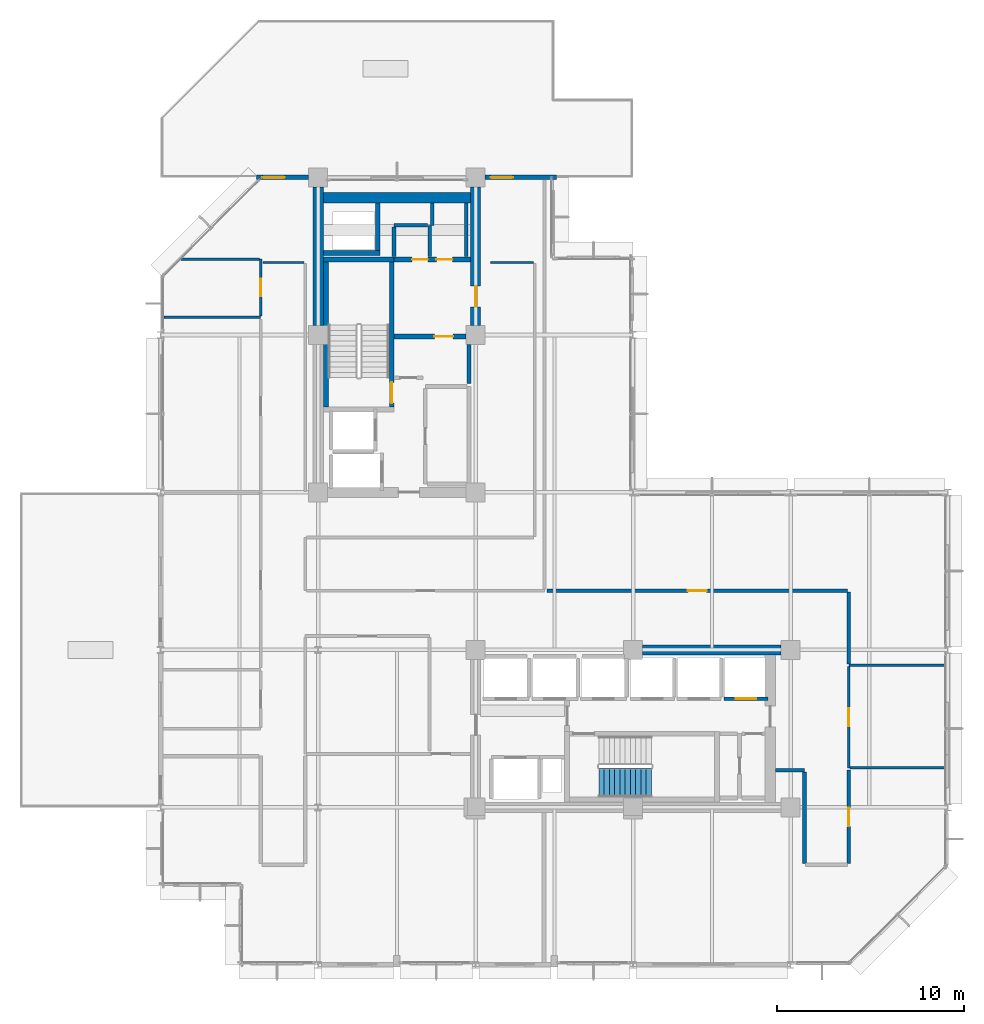
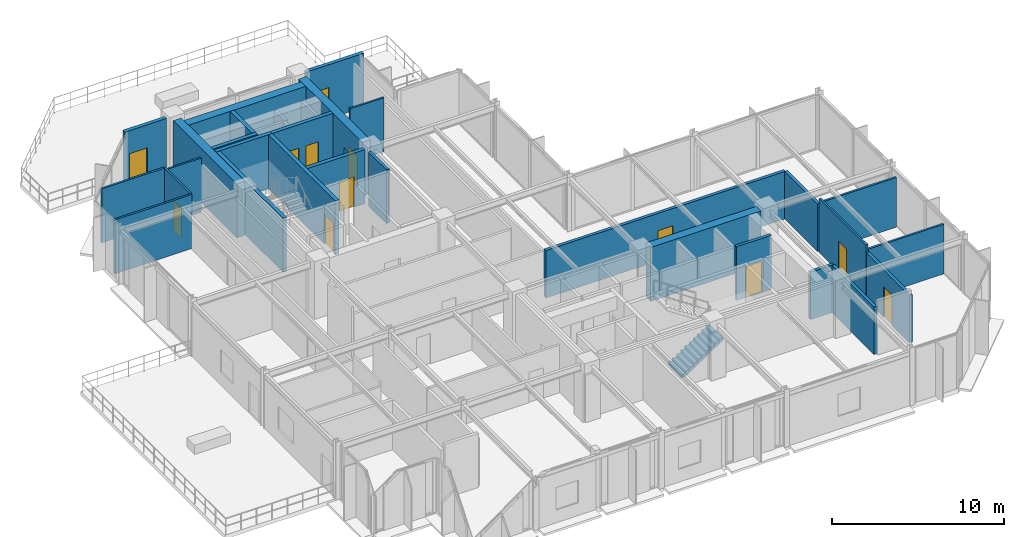
# One storey, part 17 of 21: 33 walls, 12 doors, 1 stair flight, 12 openings, 1 element without a shape of its own.
"""IFC4 building model written with IfcOpenShell, lengths in metres."""

from ifc_helpers import new_model, si_unit, direction, frame, frame_2d, origin, place, context, subcontext, project, spatial, polyline, rectangle, outline, extrude, material, layer, layer_set, type_object, element, fill, aggregate, save


model = new_model("IFC4")

# Units and contexts
model_context = context("Model", 3, precision=1e-05, world=origin(), true_north=direction((0.0, 1.0)))
body_context = subcontext(model_context, "Body", "Model", "MODEL_VIEW")
ifc_project = project(units=[si_unit("LENGTHUNIT", "METRE"), si_unit("AREAUNIT", "SQUARE_METRE"), si_unit("VOLUMEUNIT", "CUBIC_METRE"), si_unit("PLANEANGLEUNIT", "RADIAN"), si_unit("MASSUNIT", "GRAM", prefix="KILO")], contexts=[model_context])

# Site, building, storey
site_placement = place(None, origin())
site = spatial("IfcSite", under=ifc_project, at=site_placement, CompositionType="ELEMENT")
building_placement = place(site_placement, origin())
building = spatial("IfcBuilding", under=site, at=building_placement, Name="Nerrivon Quay Data Exchange", CompositionType="ELEMENT")
storey_placement = place(building_placement, frame((0.0, 0.0, 220.60009765625)))
storey = spatial("IfcBuildingStorey", under=building, at=storey_placement, Name="L52", CompositionType="ELEMENT", Elevation=220.60009765625)

# Wall, opening, door
ifc_material_1 = material(Name="Architectural terracotta precast concrete N50 (50 MPa)", Category="masonry")
ifc_layer_1 = layer(ifc_material_1, 0.239990234375)
ifc_layer_set_1 = layer_set([ifc_layer_1], Name="Architectural terracotta precast concrete N50 (50 MPa)")
wall_type_1 = type_object("IfcWallType", Name="EW-PREC-240", PredefinedType="STANDARD", material=ifc_layer_set_1)
wall_1_placement = place(storey_placement, frame((5.125244140625, 42.0, 0.0), z_axis=(0.0, 0.0, 1.0), x_axis=(1.0, 0.0, 0.0)))
wall_1 = element("IfcWall", 1, at=wall_1_placement, inside=storey, type_object=wall_type_1, Name="L52 Terrace Host Wall 17", PredefinedType="STANDARD", context=body_context, shape_type="SweptSolid", body=[
    extrude(rectangle(XDim=2.774658203125, YDim=0.239990234375, at=frame_2d((1.38720703125, 0.0))), origin(), (0.0, 0.0, 1.0), 3.824951171875),
])
opening_1_placement = place(wall_1_placement, frame((0.300048828125, 0.0, 0.0)))
opening_1 = element("IfcOpeningElement", 2, at=opening_1_placement, cuts=wall_1, Name="Opening TD1", PredefinedType="OPENING", context=body_context, shape_type="SweptSolid", body=[
    extrude(rectangle(XDim=1.199951171875, YDim=2.199951171875, at=frame_2d((0.60009765625, 1.10009765625))), frame((0.0, 0.1298828125, 0.0), z_axis=(0.0, -1.0, 0.0), x_axis=(1.0, 0.0, 0.0)), (0.0, 0.0, 1.0), 0.260009765625),
])
ifc_material_2 = material(Name="Double-glazed low-E solar control glass", Category="glass")
door_type_1 = type_object("IfcDoorType", Name="DR-TERR-1200x2200", OperationType="NOTDEFINED", PredefinedType="DOOR", material=ifc_material_2)
door_1_placement = place(opening_1_placement, origin())
door_1 = element("IfcDoor", 3, at=door_1_placement, inside=storey, type_object=door_type_1, Name="L52 Outdoor Terrace Access Door 17", OperationType="SINGLE_SWING_RIGHT", OverallHeight=2.199951171875, OverallWidth=1.199951171875, PredefinedType="DOOR", context=body_context, shape_type="SweptSolid", body=[
    extrude(rectangle(XDim=1.199951171875, YDim=2.199951171875, at=frame_2d((0.60009765625, 1.10009765625))), frame((0.0, 0.02490234375, 0.0), z_axis=(0.0, -1.0, 0.0), x_axis=(1.0, 0.0, 0.0)), (0.0, 0.0, 1.0), 0.050048828125),
])
fill(opening_1, door_1)

wall_2_placement = place(storey_placement, frame((17.300048828125, 42.0, 0.0), z_axis=(0.0, 0.0, 1.0), x_axis=(1.0, 0.0, 0.0)))
wall_2 = element("IfcWall", 4, at=wall_2_placement, inside=storey, type_object=wall_type_1, Name="L52 Terrace Host Wall 19", PredefinedType="STANDARD", context=body_context, shape_type="SweptSolid", body=[
    extrude(rectangle(XDim=3.820068359375, YDim=0.239990234375, at=frame_2d((1.91015625, 0.0))), origin(), (0.0, 0.0, 1.0), 3.824951171875),
])
opening_2_placement = place(wall_2_placement, frame((0.300048828125, 0.0, 0.0)))
opening_2 = element("IfcOpeningElement", 5, at=opening_2_placement, cuts=wall_2, Name="Opening TD1", PredefinedType="OPENING", context=body_context, shape_type="SweptSolid", body=[
    extrude(rectangle(XDim=1.199951171875, YDim=2.199951171875, at=frame_2d((0.60009765625, 1.10009765625))), frame((0.0, 0.1298828125, 0.0), z_axis=(0.0, -1.0, 0.0), x_axis=(1.0, 0.0, 0.0)), (0.0, 0.0, 1.0), 0.260009765625),
])
door_2_placement = place(opening_2_placement, origin())
door_2 = element("IfcDoor", 6, at=door_2_placement, inside=storey, type_object=door_type_1, Name="L52 Outdoor Terrace Access Door 19", OperationType="SINGLE_SWING_RIGHT", OverallHeight=2.199951171875, OverallWidth=1.199951171875, PredefinedType="DOOR", context=body_context, shape_type="SweptSolid", body=[
    extrude(rectangle(XDim=1.199951171875, YDim=2.199951171875, at=frame_2d((0.60009765625, 1.10009765625))), frame((0.0, 0.02490234375, 0.0), z_axis=(0.0, -1.0, 0.0), x_axis=(1.0, 0.0, 0.0)), (0.0, 0.0, 1.0), 0.050048828125),
])
fill(opening_2, door_2)

# Walls
ifc_material_3 = material(Name="Concrete S65 (65 MPa)", Category="concrete")
ifc_layer_2 = layer(ifc_material_3, 0.550048828125)
ifc_layer_set_2 = layer_set([ifc_layer_2], Name="Concrete S65 (65 MPa)")
wall_type_2 = type_object("IfcWallType", Name="WALL-CW-700", PredefinedType="SHEAR", material=ifc_layer_set_2)
wall_3_placement = place(storey_placement, frame((8.39990234375, 34.10009765625, 0.0), z_axis=(0.0, 0.0, 1.0), x_axis=(0.0, 1.0, 0.0)))
element("IfcWall", 7, at=wall_3_placement, inside=storey, type_object=wall_type_2, Name="L52 West Split-Core Shear Wall WCW-W2", PredefinedType="SHEAR", context=body_context, shape_type="SweptSolid", body=[
    extrude(rectangle(XDim=7.39990234375, YDim=0.550048828125, at=frame_2d((3.699951171875, 0.0))), origin(), (0.0, 0.0, 1.0), 3.824951171875),
])
wall_4_placement = place(storey_placement, frame((8.675048828125, 40.925048828125, 0.0), z_axis=(0.0, 0.0, 1.0), x_axis=(1.0, 0.0, 0.0)))
element("IfcWall", 8, at=wall_4_placement, inside=storey, type_object=wall_type_2, Name="L52 West Split-Core Shear Wall WCW-N1", PredefinedType="SHEAR", context=body_context, shape_type="SweptSolid", body=[
    extrude(rectangle(XDim=7.849853515625, YDim=0.550048828125, at=frame_2d((3.9248046875, 0.0))), origin(), (0.0, 0.0, 1.0), 3.824951171875),
])

# Wall, opening, door
wall_5_placement = place(storey_placement, frame((16.800048828125, 34.10009765625, 0.0), z_axis=(0.0, 0.0, 1.0), x_axis=(0.0, 1.0, 0.0)))
wall_5 = element("IfcWall", 9, at=wall_5_placement, inside=storey, type_object=wall_type_2, Name="L52 West Split-Core Shear Wall WCW-E1", PredefinedType="SHEAR", context=body_context, shape_type="SweptSolid", body=[
    extrude(rectangle(XDim=7.39990234375, YDim=0.550048828125, at=frame_2d((3.699951171875, 0.0))), origin(), (0.0, 0.0, 1.0), 3.824951171875),
])
opening_3_placement = place(wall_5_placement, frame((1.0, 0.0, 0.0)))
opening_3 = element("IfcOpeningElement", 10, at=opening_3_placement, cuts=wall_5, Name="Opening FD-120", PredefinedType="OPENING", context=body_context, shape_type="SweptSolid", body=[
    extrude(rectangle(XDim=1.10009765625, YDim=2.14990234375, at=frame_2d((0.550048828125, 1.074951171875))), frame((0.0, 0.284912109375, 0.0), z_axis=(0.0, -1.0, 0.0), x_axis=(1.0, 0.0, 0.0)), (0.0, 0.0, 1.0), 0.570068359375),
])
ifc_material_4 = material(Name="Powder-coated galvanized steel sheet", Category="steel")
door_type_2 = type_object("IfcDoorType", Name="DR-FD120-1100", OperationType="NOTDEFINED", PredefinedType="DOOR", material=ifc_material_4)
door_3_placement = place(opening_3_placement, origin())
door_3 = element("IfcDoor", 11, at=door_3_placement, inside=storey, type_object=door_type_2, Name="L52 West Core Lobby Fire Door", OperationType="SINGLE_SWING_LEFT", OverallHeight=2.14990234375, OverallWidth=1.10009765625, PredefinedType="DOOR", context=body_context, shape_type="SweptSolid", body=[
    extrude(rectangle(XDim=1.10009765625, YDim=2.14990234375, at=frame_2d((0.550048828125, 1.074951171875))), frame((0.0, 0.02490234375, 0.0), z_axis=(0.0, -1.0, 0.0), x_axis=(1.0, 0.0, 0.0)), (0.0, 0.0, 1.0), 0.050048828125),
])
fill(opening_3, door_3)

# Wall
wall_6_placement = place(storey_placement, frame((25.699951171875, 16.800048828125, 0.0), z_axis=(0.0, 0.0, 1.0), x_axis=(1.0, 0.0, 0.0)))
element("IfcWall", 12, at=wall_6_placement, inside=storey, type_object=wall_type_2, Name="L52 East Split-Core Shear Wall ECW-N1", PredefinedType="SHEAR", context=body_context, shape_type="SweptSolid", body=[
    extrude(rectangle(XDim=7.400146484375, YDim=0.550048828125, at=frame_2d((3.7001953125, 0.0))), origin(), (0.0, 0.0, 1.0), 3.824951171875),
])

# Wall, opening, door
ifc_material_5 = material(Name="Gypsum plasterboard on cold-formed framing", Category="gypsum")
ifc_layer_3 = layer(ifc_material_5, 0.199951171875)
ifc_layer_set_3 = layer_set([ifc_layer_3], Name="Gypsum plasterboard on cold-formed framing")
wall_type_3 = type_object("IfcWallType", Name="WALL-FW-200", PredefinedType="PARTITIONING", material=ifc_layer_set_3)
wall_7_placement = place(storey_placement, frame((30.050048828125, 14.199951171875, 0.0), z_axis=(0.0, 0.0, 1.0), x_axis=(1.0, 0.0, 0.0)))
wall_7 = element("IfcWall", 13, at=wall_7_placement, inside=storey, type_object=wall_type_3, Name="L52 Lift Front Wall PL9", PredefinedType="PARTITIONING", context=body_context, shape_type="SweptSolid", body=[
    extrude(rectangle(XDim=2.349853515625, YDim=0.199951171875, at=frame_2d((1.1748046875, 0.0))), origin(), (0.0, 0.0, 1.0), 3.824951171875),
])
opening_4_placement = place(wall_7_placement, frame((0.625, 0.0, 0.0)))
opening_4 = element("IfcOpeningElement", 14, at=opening_4_placement, cuts=wall_7, Name="Opening LD-120", PredefinedType="OPENING", context=body_context, shape_type="SweptSolid", body=[
    extrude(rectangle(XDim=1.10009765625, YDim=2.199951171875, at=frame_2d((0.550048828125, 1.10009765625))), frame((0.0, 0.10986328125, 0.0), z_axis=(0.0, -1.0, 0.0), x_axis=(1.0, 0.0, 0.0)), (0.0, 0.0, 1.0), 0.219970703125),
])
door_type_3 = type_object("IfcDoorType", Name="DR-LIFT-LD120", OperationType="DOUBLE_DOOR_SLIDING", PredefinedType="DOOR", material=ifc_material_4)
door_4_placement = place(opening_4_placement, origin())
door_4 = element("IfcDoor", 15, at=door_4_placement, inside=storey, type_object=door_type_3, Name="L52 Lift Landing Sliding Door PL9", OperationType="DOUBLE_DOOR_SLIDING", OverallHeight=2.199951171875, OverallWidth=1.10009765625, PredefinedType="DOOR", context=body_context, shape_type="SweptSolid", body=[
    extrude(rectangle(XDim=1.10009765625, YDim=2.199951171875, at=frame_2d((0.550048828125, 1.10009765625))), frame((0.0, 0.02490234375, 0.0), z_axis=(0.0, -1.0, 0.0), x_axis=(1.0, 0.0, 0.0)), (0.0, 0.0, 1.0), 0.050048828125),
])
fill(opening_4, door_4)

# Walls
wall_8_placement = place(storey_placement, frame((16.449951171875, 31.0, 0.0), z_axis=(0.0, 0.0, 1.0), x_axis=(0.0, 1.0, 0.0)))
element("IfcWall", 16, at=wall_8_placement, inside=storey, type_object=wall_type_3, Name="L52 Partition Core Equipment Closet", PredefinedType="PARTITIONING", context=body_context, shape_type="SweptSolid", body=[
    extrude(rectangle(XDim=2.094970703125, YDim=0.199951171875, at=frame_2d((1.04736328125, 0.0))), origin(), (0.0, 0.0, 1.0), 3.824951171875),
])
wall_9_placement = place(storey_placement, frame((14.35009765625, 37.780029296875, 0.0), z_axis=(0.0, 0.0, 1.0), x_axis=(0.0, 1.0, 0.0)))
element("IfcWall", 17, at=wall_9_placement, inside=storey, type_object=wall_type_3, Name="L52 Partition Equipment Store", PredefinedType="PARTITIONING", context=body_context, shape_type="SweptSolid", body=[
    extrude(rectangle(XDim=1.669921875, YDim=0.199951171875, at=frame_2d((0.8349609375, 0.0))), origin(), (0.0, 0.0, 1.0), 2.875),
])
wall_10_placement = place(storey_placement, frame((14.24609375, 39.449951171875, 0.0), z_axis=(0.0, 0.0, 1.0), x_axis=(-1.0, 0.0, 0.0)))
element("IfcWall", 18, at=wall_10_placement, inside=storey, type_object=wall_type_3, Name="L52 Partition Equipment Store", PredefinedType="PARTITIONING", context=body_context, shape_type="SweptSolid", body=[
    extrude(rectangle(XDim=1.796142578125, YDim=0.199951171875, at=frame_2d((0.89794921875, 0.0))), origin(), (0.0, 0.0, 1.0), 2.875),
])
wall_11_placement = place(storey_placement, frame((12.449951171875, 39.345947265625, 0.0), z_axis=(0.0, 0.0, 1.0), x_axis=(0.0, -1.0, 0.0)))
element("IfcWall", 19, at=wall_11_placement, inside=storey, type_object=wall_type_3, Name="L52 Partition Equipment Store", PredefinedType="PARTITIONING", context=body_context, shape_type="SweptSolid", body=[
    extrude(rectangle(XDim=1.56591796875, YDim=0.199951171875, at=frame_2d((0.782958984375, 0.0))), origin(), (0.0, 0.0, 1.0), 2.875),
])
wall_12_placement = place(storey_placement, frame((16.300048828125, 37.780029296875, 0.0), z_axis=(0.0, 0.0, 1.0), x_axis=(0.0, 1.0, 0.0)))
element("IfcWall", 20, at=wall_12_placement, inside=storey, type_object=wall_type_3, Name="L52 Partition Cleaners Store", PredefinedType="PARTITIONING", context=body_context, shape_type="SweptSolid", body=[
    extrude(rectangle(XDim=2.865966796875, YDim=0.199951171875, at=frame_2d((1.43310546875, 0.0))), origin(), (0.0, 0.0, 1.0), 2.875),
])
wall_13_placement = place(storey_placement, frame((14.489990234375, 40.64599609375, 0.0), z_axis=(0.0, 0.0, 1.0), x_axis=(0.0, -1.0, 0.0)))
element("IfcWall", 21, at=wall_13_placement, inside=storey, type_object=wall_type_3, Name="L52 Partition Cleaners Store", PredefinedType="PARTITIONING", context=body_context, shape_type="SweptSolid", body=[
    extrude(rectangle(XDim=1.196044921875, YDim=0.199951171875, at=frame_2d((0.59814453125, 0.0))), origin(), (0.0, 0.0, 1.0), 2.875),
])
wall_14_placement = place(storey_placement, frame((34.340087890625, 10.38916015625, 0.0), z_axis=(0.0, 0.0, 1.0), x_axis=(-1.0, 0.0, 0.0)))
element("IfcWall", 22, at=wall_14_placement, inside=storey, type_object=wall_type_3, Name="L52 Partition Colocation Data Workspace 1", PredefinedType="PARTITIONING", context=body_context, shape_type="SweptSolid", body=[
    extrude(rectangle(XDim=1.5361328125, YDim=0.199951171875, at=frame_2d((0.76806640625, 0.0))), origin(), (0.0, 0.0, 1.0), 3.370849609375),
])

# Wall, opening, door
wall_15_placement = place(storey_placement, frame((36.7099609375, 10.38916015625, 0.0), z_axis=(0.0, 0.0, 1.0), x_axis=(0.0, -1.0, 0.0)))
wall_15 = element("IfcWall", 23, at=wall_15_placement, inside=storey, type_object=wall_type_3, Name="L52 Partition Colocation Data Workspace 1", PredefinedType="PARTITIONING", context=body_context, shape_type="SweptSolid", body=[
    extrude(rectangle(XDim=4.9892578125, YDim=0.199951171875, at=frame_2d((2.49462890625, 0.0))), origin(), (0.0, 0.0, 1.0), 3.364990234375),
])
opening_5_placement = place(wall_15_placement, frame((1.994384765625, 0.0, 0.0)))
opening_5 = element("IfcOpeningElement", 24, at=opening_5_placement, cuts=wall_15, Name="Opening FD-60", PredefinedType="OPENING", context=body_context, shape_type="SweptSolid", body=[
    extrude(rectangle(XDim=1.0, YDim=2.14990234375, at=frame_2d((0.5, 1.074951171875))), frame((0.0, 0.10986328125, 0.0), z_axis=(0.0, -1.0, 0.0), x_axis=(1.0, 0.0, 0.0)), (0.0, 0.0, 1.0), 0.219970703125),
])
ifc_material_6 = material(Name="Engineered hardwood timber", Category="wood")
door_type_4 = type_object("IfcDoorType", Name="DR-FD60-1000", OperationType="NOTDEFINED", PredefinedType="DOOR", material=ifc_material_6)
door_5_placement = place(opening_5_placement, origin())
door_5 = element("IfcDoor", 25, at=door_5_placement, inside=storey, type_object=door_type_4, Name="L52 Door Colocation Data Workspace 1", OperationType="SINGLE_SWING_RIGHT", OverallHeight=2.14990234375, OverallWidth=1.0, PredefinedType="DOOR", context=body_context, shape_type="SweptSolid", body=[
    extrude(rectangle(XDim=1.0, YDim=2.14990234375, at=frame_2d((0.5, 1.074951171875))), frame((0.0, 0.02490234375, 0.0), z_axis=(0.0, -1.0, 0.0), x_axis=(1.0, 0.0, 0.0)), (0.0, 0.0, 1.0), 0.050048828125),
])
fill(opening_5, door_5)

# Walls
wall_16_placement = place(storey_placement, frame((34.340087890625, 5.39990234375, 0.0), z_axis=(0.0, 0.0, 1.0), x_axis=(0.0, 1.0, 0.0)))
element("IfcWall", 26, at=wall_16_placement, inside=storey, type_object=wall_type_3, Name="L52 Partition Colocation Data Workspace 1", PredefinedType="PARTITIONING", context=body_context, shape_type="SweptSolid", body=[
    extrude(rectangle(XDim=4.88525390625, YDim=0.199951171875, at=frame_2d((2.442626953125, 0.0))), origin(), (0.0, 0.0, 1.0), 3.364990234375),
])
wall_17_placement = place(storey_placement, frame((36.7099609375, 19.89990234375, 0.0), z_axis=(0.0, 0.0, 1.0), x_axis=(0.0, -1.0, 0.0)))
element("IfcWall", 27, at=wall_17_placement, inside=storey, type_object=wall_type_3, Name="L52 Partition Sky Lobby Transfer Concourse", PredefinedType="PARTITIONING", context=body_context, shape_type="SweptSolid", body=[
    extrude(rectangle(XDim=3.844482421875, YDim=0.199951171875, at=frame_2d((1.92236328125, 0.0))), origin(), (0.0, 0.0, 1.0), 3.364990234375),
])

# Wall, opening, door
wall_18_placement = place(storey_placement, frame((20.5966796875, 19.9599609375, 0.0), z_axis=(0.0, 0.0, 1.0), x_axis=(1.0, 0.0, 0.0)))
wall_18 = element("IfcWall", 28, at=wall_18_placement, inside=storey, type_object=wall_type_3, Name="L52 Partition Sky Lobby Transfer Concourse", PredefinedType="PARTITIONING", context=body_context, shape_type="SweptSolid", body=[
    extrude(rectangle(XDim=16.05322265625, YDim=0.199951171875, at=frame_2d((8.026611328125, 0.0))), origin(), (0.0, 0.0, 1.0), 3.370849609375),
])
opening_6_placement = place(wall_18_placement, frame((7.526611328125, 0.0, 0.0)))
opening_6 = element("IfcOpeningElement", 29, at=opening_6_placement, cuts=wall_18, Name="Opening FD-60", PredefinedType="OPENING", context=body_context, shape_type="SweptSolid", body=[
    extrude(rectangle(XDim=1.0, YDim=2.14990234375, at=frame_2d((0.5, 1.074951171875))), frame((0.0, 0.10986328125, 0.0), z_axis=(0.0, -1.0, 0.0), x_axis=(1.0, 0.0, 0.0)), (0.0, 0.0, 1.0), 0.219970703125),
])
door_6_placement = place(opening_6_placement, origin())
door_6 = element("IfcDoor", 30, at=door_6_placement, inside=storey, type_object=door_type_4, Name="L52 Door Sky Lobby Transfer Concourse", OperationType="SINGLE_SWING_RIGHT", OverallHeight=2.14990234375, OverallWidth=1.0, PredefinedType="DOOR", context=body_context, shape_type="SweptSolid", body=[
    extrude(rectangle(XDim=1.0, YDim=2.14990234375, at=frame_2d((0.5, 1.074951171875))), frame((0.0, 0.02490234375, 0.0), z_axis=(0.0, -1.0, 0.0), x_axis=(1.0, 0.0, 0.0)), (0.0, 0.0, 1.0), 0.050048828125),
])
fill(opening_6, door_6)

ifc_layer_4 = layer(ifc_material_5, 0.1201171875)
ifc_layer_set_4 = layer_set([ifc_layer_4], Name="Gypsum plasterboard on cold-formed framing")
wall_type_4 = type_object("IfcWallType", Name="WALL-PT-120", PredefinedType="PARTITIONING", material=ifc_layer_set_4)
wall_19_placement = place(storey_placement, frame((5.340087890625, 34.62158203125, 0.0), z_axis=(0.0, 0.0, 1.0), x_axis=(0.0, 1.0, 0.0)))
wall_19 = element("IfcWall", 31, at=wall_19_placement, inside=storey, type_object=wall_type_4, Name="L52 Partition Public Washrooms", PredefinedType="PARTITIONING", context=body_context, shape_type="SweptSolid", body=[
    extrude(rectangle(XDim=3.0283203125, YDim=0.1201171875, at=frame_2d((1.51416015625, 0.0))), origin(), (0.0, 0.0, 1.0), 3.824951171875),
])
opening_7_placement = place(wall_19_placement, frame((1.05419921875, 0.0, 0.0)))
opening_7 = element("IfcOpeningElement", 32, at=opening_7_placement, cuts=wall_19, Name="Opening D-WC", PredefinedType="OPENING", context=body_context, shape_type="SweptSolid", body=[
    extrude(rectangle(XDim=0.919921875, YDim=2.10009765625, at=frame_2d((0.4599609375, 1.050048828125))), frame((0.0, 0.070068359375, 0.0), z_axis=(0.0, -1.0, 0.0), x_axis=(1.0, 0.0, 0.0)), (0.0, 0.0, 1.0), 0.14013671875),
])
door_type_5 = type_object("IfcDoorType", Name="DR-WC-920", OperationType="NOTDEFINED", PredefinedType="DOOR", material=ifc_material_6)
door_7_placement = place(opening_7_placement, origin())
door_7 = element("IfcDoor", 33, at=door_7_placement, inside=storey, type_object=door_type_5, Name="L52 Door Public Washrooms", OperationType="SINGLE_SWING_RIGHT", OverallHeight=2.10009765625, OverallWidth=0.919921875, PredefinedType="DOOR", context=body_context, shape_type="SweptSolid", body=[
    extrude(rectangle(XDim=0.919921875, YDim=2.10009765625, at=frame_2d((0.4599609375, 1.050048828125))), frame((0.0, 0.02490234375, 0.0), z_axis=(0.0, -1.0, 0.0), x_axis=(1.0, 0.0, 0.0)), (0.0, 0.0, 1.0), 0.050048828125),
])
fill(opening_7, door_7)

# Walls
wall_20_placement = place(storey_placement, frame((5.4599609375, 37.4599609375, 0.0), z_axis=(0.0, 0.0, 1.0), x_axis=(1.0, 0.0, 0.0)))
element("IfcWall", 34, at=wall_20_placement, inside=storey, type_object=wall_type_4, Name="L52 Partition Peering Huddle Meeting Room", PredefinedType="PARTITIONING", context=body_context, shape_type="SweptSolid", body=[
    extrude(rectangle(XDim=2.18994140625, YDim=0.1201171875, at=frame_2d((1.094970703125, 0.0))), origin(), (0.0, 0.0, 1.0), 3.824951171875),
])
wall_21_placement = place(storey_placement, frame((17.60009765625, 37.4599609375, 0.0), z_axis=(0.0, 0.0, 1.0), x_axis=(1.0, 0.0, 0.0)))
element("IfcWall", 35, at=wall_21_placement, inside=storey, type_object=wall_type_4, Name="L52 Partition Peering Huddle Meeting Room", PredefinedType="PARTITIONING", context=body_context, shape_type="SweptSolid", body=[
    extrude(rectangle(XDim=2.2998046875, YDim=0.1201171875, at=frame_2d((1.14990234375, 0.0))), origin(), (0.0, 0.0, 1.0), 3.824951171875),
])
ifc_layer_5 = layer(ifc_material_5, 0.135009765625)
ifc_layer_set_5 = layer_set([ifc_layer_5], Name="Gypsum plasterboard on cold-formed framing")
wall_type_5 = type_object("IfcWallType", Name="WALL-PT-135", PredefinedType="PARTITIONING", material=ifc_layer_set_5)
wall_22_placement = place(storey_placement, frame((0.1689453125, 34.550048828125, 0.0), z_axis=(0.0, 0.0, 1.0), x_axis=(1.0, 0.0, 0.0)))
element("IfcWall", 36, at=wall_22_placement, inside=storey, type_object=wall_type_5, Name="L52 Partition Public Washrooms", PredefinedType="PARTITIONING", context=body_context, shape_type="SweptSolid", body=[
    extrude(rectangle(XDim=5.171142578125, YDim=0.135009765625, at=frame_2d((2.58544921875, 0.0))), origin(), (0.0, 0.0, 1.0), 3.824951171875),
])
wall_23_placement = place(storey_placement, frame((5.27587890625, 37.64990234375, 0.0), z_axis=(0.0, 0.0, 1.0), x_axis=(-1.0, 0.0, 0.0)))
element("IfcWall", 37, at=wall_23_placement, inside=storey, type_object=wall_type_5, Name="L52 Partition Public Washrooms", PredefinedType="PARTITIONING", context=body_context, shape_type="SweptSolid", body=[
    extrude(rectangle(XDim=4.186767578125, YDim=0.135009765625, at=frame_2d((2.09326171875, 0.0))), origin(), (0.0, 0.0, 1.0), 3.824951171875),
])
wall_24_placement = place(storey_placement, frame((41.8310546875, 15.98388671875, 0.0), z_axis=(0.0, 0.0, 1.0), x_axis=(-1.0, 0.0, 0.0)))
element("IfcWall", 38, at=wall_24_placement, inside=storey, type_object=wall_type_5, Name="L52 Partition Staff Pantry", PredefinedType="PARTITIONING", context=body_context, shape_type="SweptSolid", body=[
    extrude(rectangle(XDim=5.12109375, YDim=0.135009765625, at=frame_2d((2.560546875, 0.0))), origin(), (0.0, 0.0, 1.0), 3.517822265625),
])

# Wall, opening, door
wall_25_placement = place(storey_placement, frame((36.7099609375, 15.91259765625, 0.0), z_axis=(0.0, 0.0, 1.0), x_axis=(0.0, -1.0, 0.0)))
wall_25 = element("IfcWall", 39, at=wall_25_placement, inside=storey, type_object=wall_type_5, Name="L52 Partition Staff Pantry", PredefinedType="PARTITIONING", context=body_context, shape_type="SweptSolid", body=[
    extrude(rectangle(XDim=5.403564453125, YDim=0.135009765625, at=frame_2d((2.70166015625, 0.0))), origin(), (0.0, 0.0, 1.0), 3.824951171875),
])
opening_8_placement = place(wall_25_placement, frame((2.226806640625, 0.0, 0.0)))
opening_8 = element("IfcOpeningElement", 40, at=opening_8_placement, cuts=wall_25, Name="Opening D-01", PredefinedType="OPENING", context=body_context, shape_type="SweptSolid", body=[
    extrude(rectangle(XDim=0.949951171875, YDim=2.14990234375, at=frame_2d((0.47509765625, 1.074951171875))), frame((0.0, 0.077392578125, 0.0), z_axis=(0.0, -1.0, 0.0), x_axis=(1.0, 0.0, 0.0)), (0.0, 0.0, 1.0), 0.155029296875),
])
door_type_6 = type_object("IfcDoorType", Name="DR-INT-950", OperationType="NOTDEFINED", PredefinedType="DOOR", material=ifc_material_6)
door_8_placement = place(opening_8_placement, origin())
door_8 = element("IfcDoor", 41, at=door_8_placement, inside=storey, type_object=door_type_6, Name="L52 Door Staff Pantry", OperationType="SINGLE_SWING_LEFT", OverallHeight=2.14990234375, OverallWidth=0.949951171875, PredefinedType="DOOR", context=body_context, shape_type="SweptSolid", body=[
    extrude(rectangle(XDim=0.949951171875, YDim=2.14990234375, at=frame_2d((0.47509765625, 1.074951171875))), frame((0.0, 0.02490234375, 0.0), z_axis=(0.0, -1.0, 0.0), x_axis=(1.0, 0.0, 0.0)), (0.0, 0.0, 1.0), 0.050048828125),
])
fill(opening_8, door_8)

# Walls
wall_26_placement = place(storey_placement, frame((36.781494140625, 10.509033203125, 0.0), z_axis=(0.0, 0.0, 1.0), x_axis=(1.0, 0.0, 0.0)))
element("IfcWall", 42, at=wall_26_placement, inside=storey, type_object=wall_type_5, Name="L52 Partition Staff Pantry", PredefinedType="PARTITIONING", context=body_context, shape_type="SweptSolid", body=[
    extrude(rectangle(XDim=5.049560546875, YDim=0.135009765625, at=frame_2d((2.52490234375, 0.0))), origin(), (0.0, 0.0, 1.0), 3.517822265625),
])
ifc_material_7 = material(Name="Concrete N50 (50 MPa)", Category="concrete")
ifc_layer_6 = layer(ifc_material_7, 0.25)
ifc_layer_set_6 = layer_set([ifc_layer_6], Name="Concrete N50 (50 MPa)")
wall_type_6 = type_object("IfcWallType", Name="WALL-SW-250", PredefinedType="SHEAR", material=ifc_layer_set_6)
wall_27_placement = place(storey_placement, frame((12.449951171875, 37.625, 0.0), z_axis=(0.0, 0.0, 1.0), x_axis=(-1.0, 0.0, 0.0)))
element("IfcWall", 43, at=wall_27_placement, inside=storey, type_object=wall_type_6, Name="L52 ST01 Structural Stair Core Wall FAR", PredefinedType="SHEAR", context=body_context, shape_type="SweptSolid", body=[
    extrude(rectangle(XDim=3.75, YDim=0.25, at=frame_2d((1.875, 0.0))), origin(), (0.0, 0.0, 1.0), 3.824951171875),
])

# Wall, opening, door
wall_28_placement = place(storey_placement, frame((12.324951171875, 29.75, 0.0), z_axis=(0.0, 0.0, 1.0), x_axis=(0.0, 1.0, 0.0)))
wall_28 = element("IfcWall", 44, at=wall_28_placement, inside=storey, type_object=wall_type_6, Name="L52 ST01 Structural Stair Core Wall LEFT", PredefinedType="SHEAR", context=body_context, shape_type="SweptSolid", body=[
    extrude(rectangle(XDim=7.75, YDim=0.25, at=frame_2d((3.875, 0.0))), origin(), (0.0, 0.0, 1.0), 3.824951171875),
])
opening_9_placement = place(wall_28_placement, frame((0.219970703125, 0.0, 0.0)))
opening_9 = element("IfcOpeningElement", 45, at=opening_9_placement, cuts=wall_28, Name="Opening FD-120", PredefinedType="OPENING", context=body_context, shape_type="SweptSolid", body=[
    extrude(rectangle(XDim=1.10009765625, YDim=2.14990234375, at=frame_2d((0.550048828125, 1.074951171875))), frame((0.0, 0.135009765625, 0.0), z_axis=(0.0, -1.0, 0.0), x_axis=(1.0, 0.0, 0.0)), (0.0, 0.0, 1.0), 0.27001953125),
])
door_9_placement = place(opening_9_placement, origin())
door_9 = element("IfcDoor", 46, at=door_9_placement, inside=storey, type_object=door_type_2, Name="L52 Protected Stair Door ST01", OperationType="SINGLE_SWING_LEFT", OverallHeight=2.14990234375, OverallWidth=1.10009765625, PredefinedType="DOOR", context=body_context, shape_type="SweptSolid", body=[
    extrude(rectangle(XDim=1.10009765625, YDim=2.14990234375, at=frame_2d((0.550048828125, 1.074951171875))), frame((0.0, 0.02490234375, 0.0), z_axis=(0.0, -1.0, 0.0), x_axis=(1.0, 0.0, 0.0)), (0.0, 0.0, 1.0), 0.050048828125),
])
fill(opening_9, door_9)

# Walls
wall_29_placement = place(storey_placement, frame((8.824951171875, 29.75, 0.0), z_axis=(0.0, 0.0, 1.0), x_axis=(0.0, 1.0, 0.0)))
element("IfcWall", 47, at=wall_29_placement, inside=storey, type_object=wall_type_6, Name="L52 ST01 Structural Stair Core Wall RIGHT", PredefinedType="SHEAR", context=body_context, shape_type="SweptSolid", body=[
    extrude(rectangle(XDim=7.75, YDim=0.25, at=frame_2d((3.875, 0.0))), origin(), (0.0, 0.0, 1.0), 3.824951171875),
])
wall_30_placement = place(storey_placement, frame((8.675048828125, 37.97509765625, 0.0), z_axis=(0.0, 0.0, 1.0), x_axis=(1.0, 0.0, 0.0)))
element("IfcWall", 48, at=wall_30_placement, inside=storey, type_object=wall_type_6, Name="L52 West Core MEP Riser Shaft Wall S", PredefinedType="SHEAR", context=body_context, shape_type="SweptSolid", body=[
    extrude(rectangle(XDim=3.02490234375, YDim=0.25, at=frame_2d((1.512451171875, 0.0))), origin(), (0.0, 0.0, 1.0), 3.824951171875),
])
wall_31_placement = place(storey_placement, frame((11.574951171875, 38.10009765625, 0.0), z_axis=(0.0, 0.0, 1.0), x_axis=(0.0, 1.0, 0.0)))
element("IfcWall", 49, at=wall_31_placement, inside=storey, type_object=wall_type_6, Name="L52 West Core MEP Riser Shaft Wall E", PredefinedType="SHEAR", context=body_context, shape_type="SweptSolid", body=[
    extrude(rectangle(XDim=2.5498046875, YDim=0.25, at=frame_2d((1.27490234375, 0.0))), origin(), (0.0, 0.0, 1.0), 3.824951171875),
])

# Wall, opening, door
wall_32_placement = place(storey_placement, frame((12.449951171875, 33.52001953125, 0.0), z_axis=(0.0, 0.0, 1.0), x_axis=(1.0, 0.0, 0.0)))
wall_32 = element("IfcWall", 50, at=wall_32_placement, inside=storey, type_object=wall_type_6, Name="L52 West Lobby Smoke-Stop Wall", PredefinedType="SHEAR", context=body_context, shape_type="SweptSolid", body=[
    extrude(rectangle(XDim=3.85009765625, YDim=0.25, at=frame_2d((1.925048828125, 0.0))), origin(), (0.0, 0.0, 1.0), 3.824951171875),
])
opening_10_placement = place(wall_32_placement, frame((2.14990234375, 0.0, 0.0)))
opening_10 = element("IfcOpeningElement", 51, at=opening_10_placement, cuts=wall_32, Name="Opening FD-60", PredefinedType="OPENING", context=body_context, shape_type="SweptSolid", body=[
    extrude(rectangle(XDim=1.0, YDim=2.14990234375, at=frame_2d((0.5, 1.074951171875))), frame((0.0, 0.135009765625, 0.0), z_axis=(0.0, -1.0, 0.0), x_axis=(1.0, 0.0, 0.0)), (0.0, 0.0, 1.0), 0.27001953125),
])
door_10_placement = place(opening_10_placement, origin())
door_10 = element("IfcDoor", 52, at=door_10_placement, inside=storey, type_object=door_type_4, Name="L52 West Firefighting Lobby Fire Door", OperationType="SINGLE_SWING_LEFT", OverallHeight=2.14990234375, OverallWidth=1.0, PredefinedType="DOOR", context=body_context, shape_type="SweptSolid", body=[
    extrude(rectangle(XDim=1.0, YDim=2.14990234375, at=frame_2d((0.5, 1.074951171875))), frame((0.0, 0.02490234375, 0.0), z_axis=(0.0, -1.0, 0.0), x_axis=(1.0, 0.0, 0.0)), (0.0, 0.0, 1.0), 0.050048828125),
])
fill(opening_10, door_10)

# Wall, openings, doors
wall_33_placement = place(storey_placement, frame((12.449951171875, 37.625, 0.0), z_axis=(0.0, 0.0, 1.0), x_axis=(1.0, 0.0, 0.0)))
wall_33 = element("IfcWall", 53, at=wall_33_placement, inside=storey, type_object=wall_type_6, Name="L52 West Firefighting Lobby Wall", PredefinedType="SHEAR", context=body_context, shape_type="SweptSolid", body=[
    extrude(rectangle(XDim=4.074951171875, YDim=0.25, at=frame_2d((2.03759765625, 0.0))), origin(), (0.0, 0.0, 1.0), 3.824951171875),
])
opening_11_placement = place(wall_33_placement, frame((0.96044921875, 0.0, 0.0)))
opening_11 = element("IfcOpeningElement", 54, at=opening_11_placement, cuts=wall_33, Name="Opening FD-60S", PredefinedType="OPENING", context=body_context, shape_type="SweptSolid", body=[
    extrude(rectangle(XDim=0.85009765625, YDim=2.14990234375, at=frame_2d((0.425048828125, 1.074951171875))), frame((0.0, 0.135009765625, 0.0), z_axis=(0.0, -1.0, 0.0), x_axis=(1.0, 0.0, 0.0)), (0.0, 0.0, 1.0), 0.27001953125),
])
opening_12_placement = place(wall_33_placement, frame((2.264404296875, 0.0, 0.0)))
opening_12 = element("IfcOpeningElement", 55, at=opening_12_placement, cuts=wall_33, Name="Opening FD-60S", PredefinedType="OPENING", context=body_context, shape_type="SweptSolid", body=[
    extrude(rectangle(XDim=0.85009765625, YDim=2.14990234375, at=frame_2d((0.425048828125, 1.074951171875))), frame((0.0, 0.135009765625, 0.0), z_axis=(0.0, -1.0, 0.0), x_axis=(1.0, 0.0, 0.0)), (0.0, 0.0, 1.0), 0.27001953125),
])
door_type_7 = type_object("IfcDoorType", Name="DR-FD60-850", OperationType="NOTDEFINED", PredefinedType="DOOR", material=ifc_material_6)
door_11_placement = place(opening_11_placement, origin())
door_11 = element("IfcDoor", 56, at=door_11_placement, inside=storey, type_object=door_type_7, Name="L52 Door Equipment Store", OperationType="SINGLE_SWING_LEFT", OverallHeight=2.14990234375, OverallWidth=0.85009765625, PredefinedType="DOOR", context=body_context, shape_type="SweptSolid", body=[
    extrude(rectangle(XDim=0.85009765625, YDim=2.14990234375, at=frame_2d((0.425048828125, 1.074951171875))), frame((0.0, 0.02490234375, 0.0), z_axis=(0.0, -1.0, 0.0), x_axis=(1.0, 0.0, 0.0)), (0.0, 0.0, 1.0), 0.050048828125),
])
fill(opening_11, door_11)
door_12_placement = place(opening_12_placement, origin())
door_12 = element("IfcDoor", 57, at=door_12_placement, inside=storey, type_object=door_type_7, Name="L52 Door Cleaners Store", OperationType="SINGLE_SWING_RIGHT", OverallHeight=2.14990234375, OverallWidth=0.85009765625, PredefinedType="DOOR", context=body_context, shape_type="SweptSolid", body=[
    extrude(rectangle(XDim=0.85009765625, YDim=2.14990234375, at=frame_2d((0.425048828125, 1.074951171875))), frame((0.0, 0.02490234375, 0.0), z_axis=(0.0, -1.0, 0.0), x_axis=(1.0, 0.0, 0.0)), (0.0, 0.0, 1.0), 0.050048828125),
])
fill(opening_12, door_12)

# Stair, stair flight
stair_type = type_object("IfcStairType", Name="STAIR-DOG-41", PredefinedType="HALF_TURN_STAIR", material=ifc_material_7)
stair_placement = place(storey_placement, origin())
stair = element("IfcStair", 58, at=stair_placement, inside=storey, type_object=stair_type, Name="L52 East Core Fire Stair ST02", PredefinedType="HALF_TURN_STAIR")
stair_flight_type = type_object("IfcStairFlightType", Name="FLIGHT-DOG-41", PredefinedType="STRAIGHT", material=ifc_material_7)
stair_flight_placement = place(storey_placement, frame((23.3798828125, 9.72509765625, 0.0), z_axis=(0.0, 0.0, 1.0), x_axis=(1.0, 0.0, 0.0)))
stair_flight = element("IfcStairFlight", 59, at=stair_flight_placement, type_object=stair_flight_type, Name="ST02 flight 1", NumberOfRisers=11, NumberOfTreads=10, PredefinedType="STRAIGHT", RiserHeight=0.186363636, TreadLength=0.28, context=body_context, shape_type="SweptSolid", body=[
    extrude(outline(polyline([(0.0, 0.0), (0.0, 0.186279296875), (0.280029296875, 0.186279296875), (0.280029296875, 0.372802734375), (0.56005859375, 0.372802734375), (0.56005859375, 0.55908203125), (0.840087890625, 0.55908203125), (0.840087890625, 0.745361328125), (1.1201171875, 0.745361328125), (1.1201171875, 0.931884765625), (1.39990234375, 0.931884765625), (1.39990234375, 1.1181640625), (1.679931640625, 1.1181640625), (1.679931640625, 1.304443359375), (1.9599609375, 1.304443359375), (1.9599609375, 1.490966796875), (2.239990234375, 1.490966796875), (2.239990234375, 1.67724609375), (2.52001953125, 1.67724609375), (2.52001953125, 1.863525390625), (2.800048828125, 1.863525390625), (2.800048828125, 2.050048828125), (2.800048828125, 1.68359375), (0.2705078125, 0.0), (0.0, 0.0)])), frame((0.0, 0.77490234375, 0.0), z_axis=(0.0, -1.0, 0.0), x_axis=(1.0, 0.0, 0.0)), (0.0, 0.0, 1.0), 1.550048828125),
])
aggregate(stair, [stair_flight])

save(model, "model.ifc")
